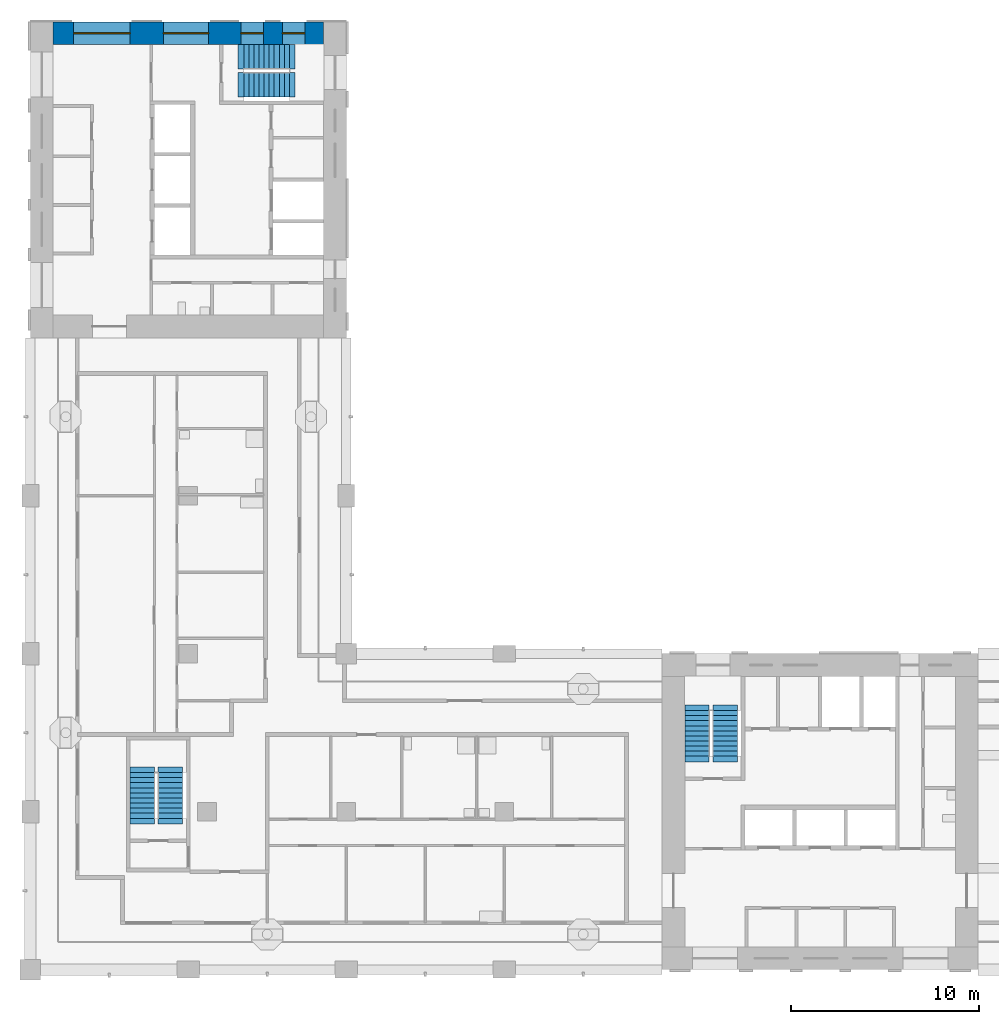
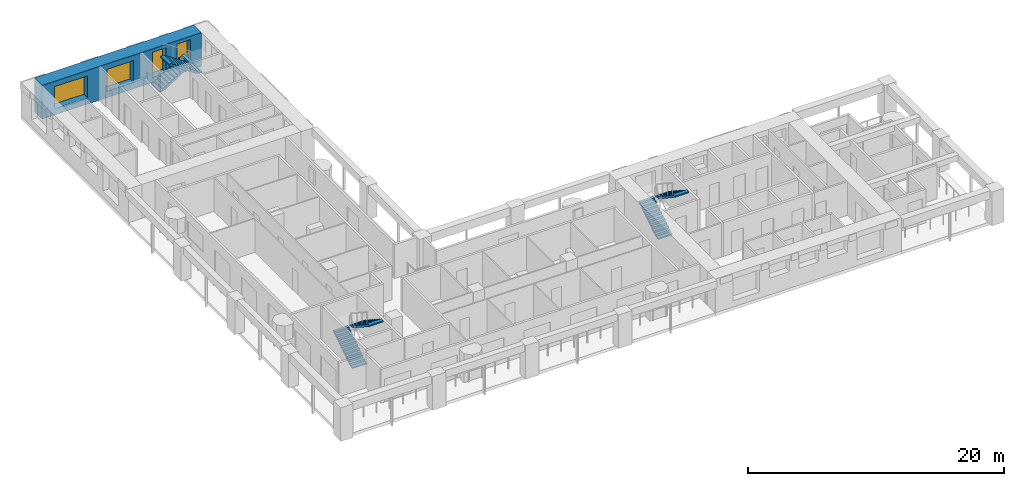
# One storey, part 7 of 13: 6 stair flights, 4 windows, 1 wall, 4 openings, 3 elements without a shape of their own.
"""IFC4 building model written with IfcOpenShell, lengths in metres."""

import ifcopenshell
import ifcopenshell.guid

model = None  # the IFC model being written
_history = None  # IfcOwnerHistory: only IFC2X3 demands one
_inside = {}  # id of a spatial element -> (the spatial element, [elements in it])
_under = {}  # id of a project, library or spatial element -> (it, [spatial elements below it])
_declared = {}  # id of a project -> (the project, [libraries it declares])
_typed = {}  # id of a type object -> (the type object, [elements of that type])
_made_of = {}  # id of a material, layer set ... -> (it, [elements and type objects made of it])


def new_model(schema):
    """Start an empty IFC model of exactly this schema.

    Asked for "IFC4X3", IfcOpenShell would pick the latest addendum, in which some entities
    have other attributes; the version numbers below select the first issue.
    IFC2X3 requires an IfcOwnerHistory on every rooted entity: one is made here for all.
    """
    global model, _history
    if schema == "IFC4X3":
        model = ifcopenshell.file(schema_version=(4, 3, 0, 0))
    else:
        model = ifcopenshell.file(schema=schema)
    _inside.clear()
    _under.clear()
    _declared.clear()
    _typed.clear()
    _made_of.clear()
    _history = None
    if model.schema == "IFC2X3":
        org = make("IfcOrganization", Name="unknown")
        user = make(
            "IfcPersonAndOrganization",
            ThePerson=make("IfcPerson", FamilyName="unknown"),
            TheOrganization=org,
        )
        app = make(
            "IfcApplication",
            ApplicationDeveloper=org,
            Version="unknown",
            ApplicationFullName="unknown",
            ApplicationIdentifier="unknown",
        )
        _history = make(
            "IfcOwnerHistory",
            OwningUser=user,
            OwningApplication=app,
            ChangeAction="ADDED",
            CreationDate=0,
        )
    return model


def make(cls, **values):
    """One entity of the class cls with the attributes given. An attribute that is None is left unset."""
    return model.create_entity(
        cls, **{name: value for name, value in values.items() if value is not None}
    )


def rooted(cls, **values):
    """An entity with a GlobalId (a new one), such as an element, a storey or a relation."""
    return make(cls, GlobalId=ifcopenshell.guid.new(), OwnerHistory=_history, **values)


def si_unit(unit_type, name, prefix=None):
    """IfcSIUnit, for example si_unit("LENGTHUNIT", "METRE", prefix="MILLI")."""
    return make("IfcSIUnit", UnitType=unit_type, Prefix=prefix, Name=name)


def assignment(units):
    """IfcUnitAssignment: the units of a project."""
    return None if units is None else make("IfcUnitAssignment", Units=units)


def point(xyz):
    """IfcCartesianPoint."""
    return None if xyz is None else make("IfcCartesianPoint", Coordinates=xyz)


def direction(xyz):
    """IfcDirection."""
    return None if xyz is None else make("IfcDirection", DirectionRatios=xyz)


def frame(location, z_axis=None, x_axis=None):
    """IfcAxis2Placement3D, a coordinate frame: its origin and axes. An axis left out is left unset."""
    return make(
        "IfcAxis2Placement3D",
        Location=point(location),
        Axis=direction(z_axis),
        RefDirection=direction(x_axis),
    )


def frame_2d(location, x_axis=None):
    """IfcAxis2Placement2D, a coordinate frame in the plane: its origin and x axis."""
    return make(
        "IfcAxis2Placement2D", Location=point(location), RefDirection=direction(x_axis)
    )


def origin():
    """The frame at (0, 0, 0) with its axes left unset."""
    return frame((0.0, 0.0, 0.0))


def place(relative_to, where):
    """IfcLocalPlacement: puts the frame where relative to a parent placement (None: the world)."""
    return make(
        "IfcLocalPlacement", PlacementRelTo=relative_to, RelativePlacement=where
    )


def context(
    kind, dimensions, precision=None, world=None, true_north=None, identifier=None
):
    """IfcGeometricRepresentationContext, for example the 3D "Model" context."""
    return make(
        "IfcGeometricRepresentationContext",
        ContextIdentifier=identifier,
        ContextType=kind,
        CoordinateSpaceDimension=dimensions,
        Precision=precision,
        WorldCoordinateSystem=world,
        TrueNorth=true_north,
    )


def subcontext(parent, identifier, kind, view, scale=None):
    """IfcGeometricRepresentationSubContext, for example "Body" below "Model"."""
    return make(
        "IfcGeometricRepresentationSubContext",
        ContextIdentifier=identifier,
        ContextType=kind,
        ParentContext=parent,
        TargetScale=scale,
        TargetView=view,
    )


def project(units=None, contexts=None):
    """IfcProject with its units and contexts."""
    return rooted(
        "IfcProject",
        Name="project",
        RepresentationContexts=contexts,
        UnitsInContext=assignment(units),
    )


def spatial(cls, under=None, at=None, **own):
    """A site, building, storey or space (cls), placed at a placement, below another one or the project."""
    s = rooted(cls, ObjectPlacement=at, **own)
    if under is not None:
        _under.setdefault(under.id(), (under, []))[1].append(s)
    return s


def polyline(points):
    """IfcPolyline through the points."""
    return make("IfcPolyline", Points=[point(p) for p in points])


def profile(cls, at=None, kind="AREA", **sizes):
    """A parametric profile (cls). Its sizes go by their IFC names, for example OverallWidth=200.0."""
    return make(cls, ProfileType=kind, Position=at, **sizes)


def rectangle(**sizes):
    """IfcRectangleProfileDef."""
    return profile("IfcRectangleProfileDef", **sizes)


def outline(outer, holes=None, kind="AREA"):
    """IfcArbitraryClosedProfileDef: a profile drawn as a closed curve; with holes, ...WithVoids."""
    if holes is None:
        return make("IfcArbitraryClosedProfileDef", ProfileType=kind, OuterCurve=outer)
    return make(
        "IfcArbitraryProfileDefWithVoids",
        ProfileType=kind,
        OuterCurve=outer,
        InnerCurves=holes,
    )


def extrude(swept, where, along, depth):
    """IfcExtrudedAreaSolid: the profile swept, set in the frame where, extruded along a direction by depth."""
    return make(
        "IfcExtrudedAreaSolid",
        SweptArea=swept,
        Position=where,
        ExtrudedDirection=direction(along),
        Depth=depth,
    )


def shape(context_of_items, identifier, shape_type, items):
    """IfcShapeRepresentation: the items that make up one representation, for example the "Body"."""
    return make(
        "IfcShapeRepresentation",
        ContextOfItems=context_of_items,
        RepresentationIdentifier=identifier,
        RepresentationType=shape_type,
        Items=items,
    )


def material(Name=None, Category=None):
    """IfcMaterial."""
    return make("IfcMaterial", Name=Name, Category=Category)


def layer(
    of_material, thickness, ventilated=None, Name=None, Category=None, Priority=None
):
    """IfcMaterialLayer: one layer of a wall or slab, of a material (None: an air gap)."""
    return make(
        "IfcMaterialLayer",
        Material=of_material,
        LayerThickness=thickness,
        IsVentilated=ventilated,
        Name=Name,
        Category=Category,
        Priority=Priority,
    )


def layer_set(layers, Name=None):
    """IfcMaterialLayerSet."""
    return make("IfcMaterialLayerSet", MaterialLayers=layers, LayerSetName=Name)


def made_of(thing, what):
    """Note that an element or type object is made of a material, layer set ...; save() writes the relation."""
    if what is not None:
        _made_of.setdefault(what.id(), (what, []))[1].append(thing)
    return thing


def type_object(cls, material=None, **own):
    """A type object (cls), such as IfcWallType, which elements share."""
    return made_of(rooted(cls, **own), material)


def element(
    cls,
    number,
    at=None,
    inside=None,
    cuts=None,
    type_object=None,
    material=None,
    context=None,
    identifier="Body",
    shape_type=None,
    held_by="IfcProductDefinitionShape",
    body=None,
    shapes=None,
    **own,
):
    """One element of the class cls, such as IfcWall. Its Tag is "e" and its number.

    at: its placement. inside: the storey or other place that contains it. cuts: it is an
    opening in that element (IfcRelVoidsElement). A single representation is given by context,
    identifier, shape_type and body (its items); several are given by shapes. held_by: the class
    of the entity that holds the representations. save() writes the other relations.
    """
    e = rooted(cls, Tag="e%d" % number, ObjectPlacement=at, **own)
    if body is not None:
        shapes = [shape(context, identifier, shape_type, body)]
    if shapes is not None:
        e.Representation = make(held_by, Representations=shapes)
    if inside is not None:
        _inside.setdefault(inside.id(), (inside, []))[1].append(e)
    if cuts is not None:
        rooted(
            "IfcRelVoidsElement", RelatingBuildingElement=cuts, RelatedOpeningElement=e
        )
    if type_object is not None:
        _typed.setdefault(type_object.id(), (type_object, []))[1].append(e)
    return made_of(e, material)


def fill(opening, filler):
    """IfcRelFillsElement: the door or window that sits in an opening."""
    return rooted(
        "IfcRelFillsElement",
        RelatingOpeningElement=opening,
        RelatedBuildingElement=filler,
    )


def aggregate(whole, parts):
    """IfcRelAggregates: a whole, such as a stair, and the parts it consists of."""
    return rooted("IfcRelAggregates", RelatingObject=whole, RelatedObjects=parts)


def save(model, path):
    """Write the relations noted so far, then the file.

    IfcRelAggregates (storeys below a building ...), IfcRelContainedInSpatialStructure (elements
    in a storey), IfcRelDefinesByType, IfcRelAssociatesMaterial and IfcRelDeclares: one each for
    every whole, place, type object, material and project.
    """
    for whole, parts in _under.values():
        aggregate(whole, parts)
    for where, things in _inside.values():
        rooted(
            "IfcRelContainedInSpatialStructure",
            RelatedElements=things,
            RelatingStructure=where,
        )
    for kind, things in _typed.values():
        rooted("IfcRelDefinesByType", RelatedObjects=things, RelatingType=kind)
    for what, things in _made_of.values():
        rooted("IfcRelAssociatesMaterial", RelatedObjects=things, RelatingMaterial=what)
    for by, libraries in _declared.values():
        rooted("IfcRelDeclares", RelatingContext=by, RelatedDefinitions=libraries)
    model.write(path)


model = new_model("IFC4")

# Units and contexts
model_context = context("Model", 3, precision=1e-05, world=origin(), true_north=direction((0.0, 1.0)))
body_context = subcontext(model_context, "Body", "Model", "MODEL_VIEW")
ifc_project = project(units=[si_unit("LENGTHUNIT", "METRE"), si_unit("AREAUNIT", "SQUARE_METRE"), si_unit("VOLUMEUNIT", "CUBIC_METRE"), si_unit("PLANEANGLEUNIT", "RADIAN"), si_unit("MASSUNIT", "GRAM", prefix="KILO")], contexts=[model_context])

# Site, building, storey
site_placement = place(None, origin())
site = spatial("IfcSite", under=ifc_project, at=site_placement, CompositionType="ELEMENT")
building_placement = place(site_placement, origin())
building = spatial("IfcBuilding", under=site, at=building_placement, Name="Vermilion Gate Residences", CompositionType="ELEMENT")
storey_placement = place(building_placement, frame((0.0, 0.0, 189.699951171875)))
storey = spatial("IfcBuildingStorey", under=building, at=storey_placement, Name="L49", CompositionType="ELEMENT", Elevation=189.699951171875)

# Wall, openings, windows
ifc_material_1 = material(Name="Concrete C60 red-oxide pigmented", Category="concrete")
ifc_layer = layer(ifc_material_1, 1.199951171875)
ifc_layer_set = layer_set([ifc_layer], Name="RC CORE WALL 1200 C60 RED OXIDE")
wall_type = type_object("IfcWallType", Name="RC CORE WALL 1200 C60 RED OXIDE", PredefinedType="SHEAR", material=ifc_layer_set)
wall_placement = place(storey_placement, frame((9.60009765625, 58.199951171875, 0.0), z_axis=(0.0, 0.0, 1.0), x_axis=(1.0, 0.0, 0.0)))
wall = element("IfcWall", 1, at=wall_placement, inside=storey, type_object=wall_type, Name="Core wall B49-OUT-FR", PredefinedType="SHEAR", context=body_context, shape_type="SweptSolid", body=[
    extrude(rectangle(XDim=14.39990234375, YDim=1.199951171875, at=frame_2d((7.199951171875, 0.0))), origin(), (0.0, 0.0, 1.0), 3.219970703125),
])
opening_1_placement = place(wall_placement, frame((1.10498046875, 0.0, 0.60009765625)))
opening_1 = element("IfcOpeningElement", 2, at=opening_1_placement, cuts=wall, Name="Opening WKB4911", PredefinedType="OPENING", context=body_context, shape_type="SweptSolid", body=[
    extrude(rectangle(XDim=3.0, YDim=2.10009765625, at=frame_2d((1.5, 1.050048828125))), frame((0.0, 0.60986328125, 0.0), z_axis=(0.0, -1.0, 0.0), x_axis=(1.0, 0.0, 0.0)), (0.0, 0.0, 1.0), 1.219970703125),
])
opening_2_placement = place(wall_placement, frame((5.875, 0.0, 0.60009765625)))
opening_2 = element("IfcOpeningElement", 3, at=opening_2_placement, cuts=wall, Name="Opening WKB4912", PredefinedType="OPENING", context=body_context, shape_type="SweptSolid", body=[
    extrude(rectangle(XDim=2.39990234375, YDim=2.10009765625, at=frame_2d((1.199951171875, 1.050048828125))), frame((0.0, 0.60986328125, 0.0), z_axis=(0.0, -1.0, 0.0), x_axis=(1.0, 0.0, 0.0)), (0.0, 0.0, 1.0), 1.219970703125),
])
opening_3_placement = place(wall_placement, frame((9.993408203125, 0.0, 0.5)))
opening_3 = element("IfcOpeningElement", 4, at=opening_3_placement, cuts=wall, Name="Opening WKB4913", PredefinedType="OPENING", context=body_context, shape_type="SweptSolid", body=[
    extrude(rectangle(XDim=1.199951171875, YDim=2.39990234375, at=frame_2d((0.60009765625, 1.199951171875))), frame((0.0, 0.60986328125, 0.0), z_axis=(0.0, -1.0, 0.0), x_axis=(1.0, 0.0, 0.0)), (0.0, 0.0, 1.0), 1.219970703125),
])
opening_4_placement = place(wall_placement, frame((12.19677734375, 0.0, 0.5)))
opening_4 = element("IfcOpeningElement", 5, at=opening_4_placement, cuts=wall, Name="Opening WKB4914", PredefinedType="OPENING", context=body_context, shape_type="SweptSolid", body=[
    extrude(rectangle(XDim=1.199951171875, YDim=2.39990234375, at=frame_2d((0.60009765625, 1.199951171875))), frame((0.0, 0.60986328125, 0.0), z_axis=(0.0, -1.0, 0.0), x_axis=(1.0, 0.0, 0.0)), (0.0, 0.0, 1.0), 1.219970703125),
])
ifc_material_2 = material(Name="Aluminium and clear glass", Category="aluminium")
window_type_1 = type_object("IfcWindowType", Name="CORE LOBBY WINDOW 2400 X 2100", PartitioningType="SINGLE_PANEL", PredefinedType="WINDOW", material=ifc_material_2)
window_1_placement = place(opening_2_placement, origin())
window_1 = element("IfcWindow", 6, at=window_1_placement, inside=storey, type_object=window_type_1, Name="Core lobby window", OverallHeight=2.10009765625, OverallWidth=2.39990234375, PartitioningType="SINGLE_PANEL", PredefinedType="WINDOW", context=body_context, shape_type="SweptSolid", body=[
    extrude(rectangle(XDim=2.39990234375, YDim=2.10009765625, at=frame_2d((1.199951171875, 1.050048828125))), frame((0.0, 0.030029296875, 0.0), z_axis=(0.0, -1.0, 0.0), x_axis=(1.0, 0.0, 0.0)), (0.0, 0.0, 1.0), 0.06005859375),
])
fill(opening_2, window_1)
ifc_material_3 = material(Name="Aluminium and clear glass", Category="aluminium")
window_type_2 = type_object("IfcWindowType", Name="CORE LOBBY WINDOW 3000 X 2100", PartitioningType="SINGLE_PANEL", PredefinedType="WINDOW", material=ifc_material_3)
window_2_placement = place(opening_1_placement, origin())
window_2 = element("IfcWindow", 7, at=window_2_placement, inside=storey, type_object=window_type_2, Name="Core lobby window", OverallHeight=2.10009765625, OverallWidth=3.0, PartitioningType="SINGLE_PANEL", PredefinedType="WINDOW", context=body_context, shape_type="SweptSolid", body=[
    extrude(rectangle(XDim=3.0, YDim=2.10009765625, at=frame_2d((1.5, 1.050048828125))), frame((0.0, 0.030029296875, 0.0), z_axis=(0.0, -1.0, 0.0), x_axis=(1.0, 0.0, 0.0)), (0.0, 0.0, 1.0), 0.06005859375),
])
fill(opening_1, window_2)
ifc_material_4 = material(Name="Aluminium and clear glass", Category="aluminium")
window_type_3 = type_object("IfcWindowType", Name="CORE STAIR WINDOW 1200 X 2400", PartitioningType="SINGLE_PANEL", PredefinedType="WINDOW", material=ifc_material_4)
window_3_placement = place(opening_3_placement, origin())
window_3 = element("IfcWindow", 8, at=window_3_placement, inside=storey, type_object=window_type_3, Name="Core stair window", OverallHeight=2.39990234375, OverallWidth=1.199951171875, PartitioningType="SINGLE_PANEL", PredefinedType="WINDOW", context=body_context, shape_type="SweptSolid", body=[
    extrude(rectangle(XDim=1.199951171875, YDim=2.39990234375, at=frame_2d((0.60009765625, 1.199951171875))), frame((0.0, 0.030029296875, 0.0), z_axis=(0.0, -1.0, 0.0), x_axis=(1.0, 0.0, 0.0)), (0.0, 0.0, 1.0), 0.06005859375),
])
fill(opening_3, window_3)
window_4_placement = place(opening_4_placement, origin())
window_4 = element("IfcWindow", 9, at=window_4_placement, inside=storey, type_object=window_type_3, Name="Core stair window", OverallHeight=2.39990234375, OverallWidth=1.199951171875, PartitioningType="SINGLE_PANEL", PredefinedType="WINDOW", context=body_context, shape_type="SweptSolid", body=[
    extrude(rectangle(XDim=1.199951171875, YDim=2.39990234375, at=frame_2d((0.60009765625, 1.199951171875))), frame((0.0, 0.030029296875, 0.0), z_axis=(0.0, -1.0, 0.0), x_axis=(1.0, 0.0, 0.0)), (0.0, 0.0, 1.0), 0.06005859375),
])
fill(opening_4, window_4)

# Stair, stair flights
ifc_material_5 = material(Name="Concrete C50", Category="concrete")
stair_type = type_object("IfcStairType", Name="SPECIAL ESCAPE STAIR 1300", PredefinedType="HALF_TURN_STAIR", material=ifc_material_5)
stair_1_placement = place(storey_placement, origin())
stair_1 = element("IfcStair", 10, at=stair_1_placement, inside=storey, type_object=stair_type, Name="Special escape stair STA1-49", PredefinedType="HALF_TURN_STAIR")
ifc_material_6 = material(Name="Concrete C50", Category="concrete")
stair_flight_type = type_object("IfcStairFlightType", Name="STAIR FLIGHT 1300 RC C50", PredefinedType="STRAIGHT", material=ifc_material_6)
stair_flight_1_placement = place(storey_placement, frame((43.85009765625, 19.75, 0.0), z_axis=(0.0, 0.0, 1.0), x_axis=(0.0, 1.0, 0.0)))
stair_flight_1 = element("IfcStairFlight", 11, at=stair_flight_1_placement, type_object=stair_flight_type, Name="STA1-49 flight 1", NumberOfRisers=10, NumberOfTreads=9, PredefinedType="STRAIGHT", RiserHeight=0.175, TreadLength=0.27, context=body_context, shape_type="SweptSolid", body=[
    extrude(outline(polyline([(-0.300048828125, -0.14990234375), (-0.300048828125, -0.030029296875), (0.0, 0.0), (0.0, 0.175048828125), (0.27001953125, 0.175048828125), (0.27001953125, 0.35009765625), (0.5400390625, 0.35009765625), (0.5400390625, 0.52490234375), (0.81005859375, 0.52490234375), (0.81005859375, 0.699951171875), (1.080078125, 0.699951171875), (1.080078125, 0.875), (1.35009765625, 0.875), (1.35009765625, 1.050048828125), (1.6201171875, 1.050048828125), (1.6201171875, 1.22509765625), (1.889892578125, 1.22509765625), (1.889892578125, 1.39990234375), (2.159912109375, 1.39990234375), (2.159912109375, 1.574951171875), (2.429931640625, 1.574951171875), (2.429931640625, 1.75), (2.72998046875, 1.719970703125), (2.72998046875, 1.60009765625), (2.429931640625, 1.396484375), (0.275634765625, 0.0), (-0.300048828125, -0.14990234375)])), frame((0.0, 0.64990234375, 0.0), z_axis=(0.0, -1.0, 0.0), x_axis=(1.0, 0.0, 0.0)), (0.0, 0.0, 1.0), 1.300048828125),
])
stair_flight_2_placement = place(storey_placement, frame((45.35009765625, 22.179931640625, 1.75), z_axis=(0.0, 0.0, 1.0), x_axis=(0.0, -1.0, 0.0)))
stair_flight_2 = element("IfcStairFlight", 12, at=stair_flight_2_placement, type_object=stair_flight_type, Name="STA1-49 flight 2", NumberOfRisers=10, NumberOfTreads=9, PredefinedType="STRAIGHT", RiserHeight=0.175, TreadLength=0.27, context=body_context, shape_type="SweptSolid", body=[
    extrude(outline(polyline([(-0.300048828125, -0.14990234375), (-0.300048828125, -0.030029296875), (0.0, 0.0), (0.0, 0.175048828125), (0.27001953125, 0.175048828125), (0.27001953125, 0.35009765625), (0.5400390625, 0.35009765625), (0.5400390625, 0.52490234375), (0.81005859375, 0.52490234375), (0.81005859375, 0.699951171875), (1.080078125, 0.699951171875), (1.080078125, 0.875), (1.35009765625, 0.875), (1.35009765625, 1.050048828125), (1.6201171875, 1.050048828125), (1.6201171875, 1.22509765625), (1.889892578125, 1.22509765625), (1.889892578125, 1.39990234375), (2.159912109375, 1.39990234375), (2.159912109375, 1.574951171875), (2.429931640625, 1.574951171875), (2.429931640625, 1.75), (2.72998046875, 1.719970703125), (2.72998046875, 1.60009765625), (2.429931640625, 1.396484375), (0.275634765625, 0.0), (-0.300048828125, -0.14990234375)])), frame((0.0, 0.64990234375, 0.0), z_axis=(0.0, -1.0, 0.0), x_axis=(1.0, 0.0, 0.0)), (0.0, 0.0, 1.0), 1.300048828125),
])
aggregate(stair_1, [stair_flight_1, stair_flight_2])

stair_2_placement = place(storey_placement, origin())
stair_2 = element("IfcStair", 13, at=stair_2_placement, inside=storey, type_object=stair_type, Name="Special escape stair STB1-49", PredefinedType="HALF_TURN_STAIR")
stair_flight_3_placement = place(storey_placement, frame((19.75, 56.949951171875, 0.0), z_axis=(0.0, 0.0, 1.0), x_axis=(1.0, 0.0, 0.0)))
stair_flight_3 = element("IfcStairFlight", 14, at=stair_flight_3_placement, type_object=stair_flight_type, Name="STB1-49 flight 1", NumberOfRisers=10, NumberOfTreads=9, PredefinedType="STRAIGHT", RiserHeight=0.175, TreadLength=0.27, context=body_context, shape_type="SweptSolid", body=[
    extrude(outline(polyline([(-0.300048828125, -0.14990234375), (-0.300048828125, -0.030029296875), (0.0, 0.0), (0.0, 0.175048828125), (0.27001953125, 0.175048828125), (0.27001953125, 0.35009765625), (0.5400390625, 0.35009765625), (0.5400390625, 0.52490234375), (0.81005859375, 0.52490234375), (0.81005859375, 0.699951171875), (1.080078125, 0.699951171875), (1.080078125, 0.875), (1.35009765625, 0.875), (1.35009765625, 1.050048828125), (1.6201171875, 1.050048828125), (1.6201171875, 1.22509765625), (1.889892578125, 1.22509765625), (1.889892578125, 1.39990234375), (2.159912109375, 1.39990234375), (2.159912109375, 1.574951171875), (2.429931640625, 1.574951171875), (2.429931640625, 1.75), (2.72998046875, 1.719970703125), (2.72998046875, 1.60009765625), (2.429931640625, 1.396484375), (0.275634765625, 0.0), (-0.300048828125, -0.14990234375)])), frame((0.0, 0.64990234375, 0.0), z_axis=(0.0, -1.0, 0.0), x_axis=(1.0, 0.0, 0.0)), (0.0, 0.0, 1.0), 1.300048828125),
])
stair_flight_4_placement = place(storey_placement, frame((22.179931640625, 55.449951171875, 1.75), z_axis=(0.0, 0.0, 1.0), x_axis=(-1.0, 0.0, 0.0)))
stair_flight_4 = element("IfcStairFlight", 15, at=stair_flight_4_placement, type_object=stair_flight_type, Name="STB1-49 flight 2", NumberOfRisers=10, NumberOfTreads=9, PredefinedType="STRAIGHT", RiserHeight=0.175, TreadLength=0.27, context=body_context, shape_type="SweptSolid", body=[
    extrude(outline(polyline([(-0.300048828125, -0.14990234375), (-0.300048828125, -0.030029296875), (0.0, 0.0), (0.0, 0.175048828125), (0.27001953125, 0.175048828125), (0.27001953125, 0.35009765625), (0.5400390625, 0.35009765625), (0.5400390625, 0.52490234375), (0.81005859375, 0.52490234375), (0.81005859375, 0.699951171875), (1.080078125, 0.699951171875), (1.080078125, 0.875), (1.35009765625, 0.875), (1.35009765625, 1.050048828125), (1.6201171875, 1.050048828125), (1.6201171875, 1.22509765625), (1.889892578125, 1.22509765625), (1.889892578125, 1.39990234375), (2.159912109375, 1.39990234375), (2.159912109375, 1.574951171875), (2.429931640625, 1.574951171875), (2.429931640625, 1.75), (2.72998046875, 1.719970703125), (2.72998046875, 1.60009765625), (2.429931640625, 1.396484375), (0.275634765625, 0.0), (-0.300048828125, -0.14990234375)])), frame((0.0, 0.64990234375, 0.0), z_axis=(0.0, -1.0, 0.0), x_axis=(1.0, 0.0, 0.0)), (0.0, 0.0, 1.0), 1.300048828125),
])
aggregate(stair_2, [stair_flight_3, stair_flight_4])

stair_3_placement = place(storey_placement, origin())
stair_3 = element("IfcStair", 16, at=stair_3_placement, inside=storey, type_object=stair_type, Name="Special escape stair STC1-49", PredefinedType="HALF_TURN_STAIR")
stair_flight_5_placement = place(storey_placement, frame((14.35009765625, 16.449951171875, 0.0), z_axis=(0.0, 0.0, 1.0), x_axis=(0.0, 1.0, 0.0)))
stair_flight_5 = element("IfcStairFlight", 17, at=stair_flight_5_placement, type_object=stair_flight_type, Name="STC1-49 flight 1", NumberOfRisers=10, NumberOfTreads=9, PredefinedType="STRAIGHT", RiserHeight=0.175, TreadLength=0.27, context=body_context, shape_type="SweptSolid", body=[
    extrude(outline(polyline([(-0.300048828125, -0.14990234375), (-0.300048828125, -0.030029296875), (0.0, 0.0), (0.0, 0.175048828125), (0.27001953125, 0.175048828125), (0.27001953125, 0.35009765625), (0.5400390625, 0.35009765625), (0.5400390625, 0.52490234375), (0.81005859375, 0.52490234375), (0.81005859375, 0.699951171875), (1.080078125, 0.699951171875), (1.080078125, 0.875), (1.35009765625, 0.875), (1.35009765625, 1.050048828125), (1.6201171875, 1.050048828125), (1.6201171875, 1.22509765625), (1.889892578125, 1.22509765625), (1.889892578125, 1.39990234375), (2.159912109375, 1.39990234375), (2.159912109375, 1.574951171875), (2.429931640625, 1.574951171875), (2.429931640625, 1.75), (2.72998046875, 1.719970703125), (2.72998046875, 1.60009765625), (2.429931640625, 1.396484375), (0.275634765625, 0.0), (-0.300048828125, -0.14990234375)])), frame((0.0, 0.64990234375, 0.0), z_axis=(0.0, -1.0, 0.0), x_axis=(1.0, 0.0, 0.0)), (0.0, 0.0, 1.0), 1.300048828125),
])
stair_flight_6_placement = place(storey_placement, frame((15.85009765625, 18.8798828125, 1.75), z_axis=(0.0, 0.0, 1.0), x_axis=(0.0, -1.0, 0.0)))
stair_flight_6 = element("IfcStairFlight", 18, at=stair_flight_6_placement, type_object=stair_flight_type, Name="STC1-49 flight 2", NumberOfRisers=10, NumberOfTreads=9, PredefinedType="STRAIGHT", RiserHeight=0.175, TreadLength=0.27, context=body_context, shape_type="SweptSolid", body=[
    extrude(outline(polyline([(-0.300048828125, -0.14990234375), (-0.300048828125, -0.030029296875), (0.0, 0.0), (0.0, 0.175048828125), (0.27001953125, 0.175048828125), (0.27001953125, 0.35009765625), (0.5400390625, 0.35009765625), (0.5400390625, 0.52490234375), (0.81005859375, 0.52490234375), (0.81005859375, 0.699951171875), (1.080078125, 0.699951171875), (1.080078125, 0.875), (1.35009765625, 0.875), (1.35009765625, 1.050048828125), (1.6201171875, 1.050048828125), (1.6201171875, 1.22509765625), (1.889892578125, 1.22509765625), (1.889892578125, 1.39990234375), (2.159912109375, 1.39990234375), (2.159912109375, 1.574951171875), (2.429931640625, 1.574951171875), (2.429931640625, 1.75), (2.72998046875, 1.719970703125), (2.72998046875, 1.60009765625), (2.429931640625, 1.396484375), (0.275634765625, 0.0), (-0.300048828125, -0.14990234375)])), frame((0.0, 0.64990234375, 0.0), z_axis=(0.0, -1.0, 0.0), x_axis=(1.0, 0.0, 0.0)), (0.0, 0.0, 1.0), 1.300048828125),
])
aggregate(stair_3, [stair_flight_5, stair_flight_6])

save(model, "model.ifc")
